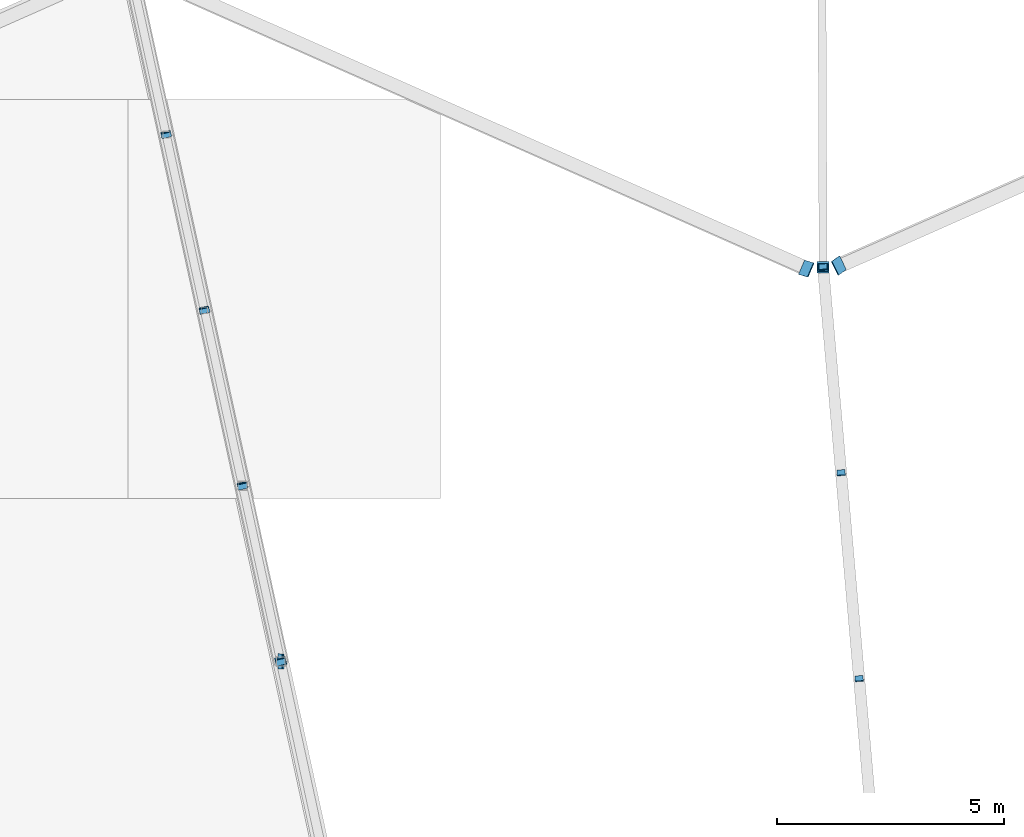
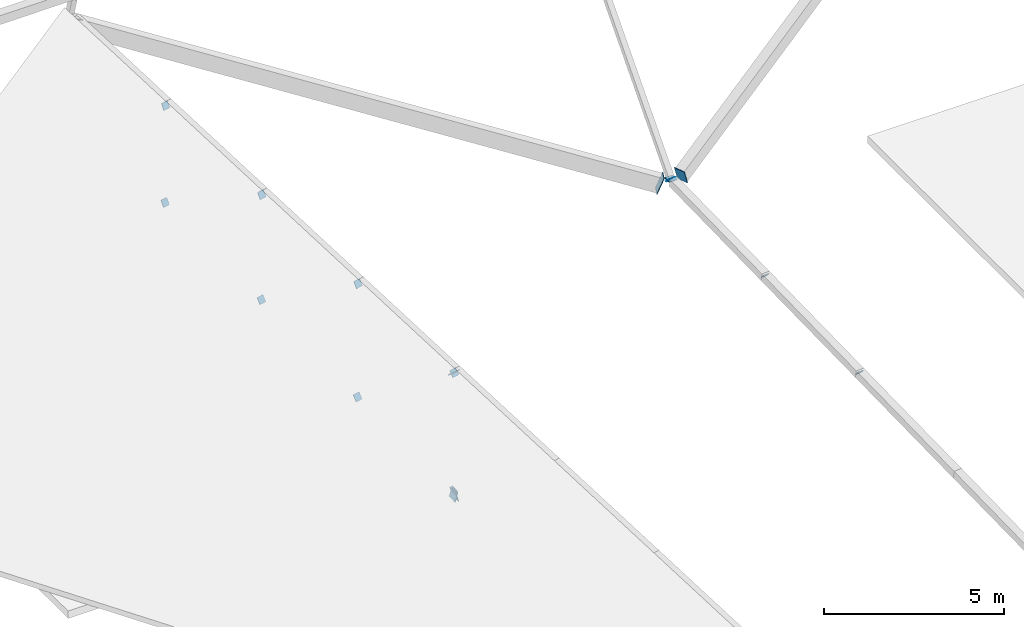
# One storey, part 170 of 188: 17 discrete accessories.
"""IFC4 building model written with IfcOpenShell, lengths in metres."""

from ifc_helpers import new_model, si_unit, direction, frame, origin, origin_2d, place, context, subcontext, project, spatial, rectangle, extrude, material, material_profile, profile_set, type_object, element, save


model = new_model("IFC4")

# Units and contexts
model_context = context("Model", 3, precision=1e-05, world=origin(), true_north=direction((0.0, 1.0)))
body_context = subcontext(model_context, "Body", "Model", "MODEL_VIEW")
ifc_project = project(units=[si_unit("LENGTHUNIT", "METRE"), si_unit("AREAUNIT", "SQUARE_METRE"), si_unit("VOLUMEUNIT", "CUBIC_METRE"), si_unit("PLANEANGLEUNIT", "RADIAN"), si_unit("MASSUNIT", "GRAM", prefix="KILO")], contexts=[model_context])

# Site, building, storey
site_placement = place(None, origin())
site = spatial("IfcSite", under=ifc_project, at=site_placement, CompositionType="ELEMENT")
building_placement = place(site_placement, origin())
building = spatial("IfcBuilding", under=site, at=building_placement, Name="Meseta Stadium", CompositionType="ELEMENT")
storey_placement = place(building_placement, frame((0.0, 0.0, 30.0)))
storey = spatial("IfcBuildingStorey", under=building, at=storey_placement, Name="ROOF", CompositionType="ELEMENT", Elevation=30.0)

# Discrete accessories
ifc_material_1 = material(Name="Steel S355", Category="steel")
ifc_material_profile_1 = material_profile(ifc_material_1, rectangle(XDim=0.179931640625, YDim=0.179931640625, at=origin_2d()), Name="PL 180x180")
ifc_profile_set_1 = profile_set([ifc_material_profile_1], Name="Steel S355")
discrete_accessory_type_1 = type_object("IfcDiscreteAccessoryType", Name="End plate 180x180x20", PredefinedType="ANCHORPLATE", material=ifc_profile_set_1)
for number, where, z_axis, x_axis, name in (
    (1, (-6.870849609375, 89.517822265625, 2.41259765625), (-0.061093841343, 0.769782400916, 0.635375949962), (-0.996865392576, -0.079116300998, 0.0), "End plate of ROOF TRUSS RT-19 diagonal"),
    (2, (-7.268798828125, 94.058837890625, 3.07666015625), (-0.060620535557, 0.763818748014, 0.642577676901), (-0.996865392576, -0.079116300998, 0.0), "End plate of ROOF TRUSS RT-19 diagonal"),
    (3, (-7.666748046875, 98.60009765625, 3.74072265625), (-0.061185258185, 0.758697201488, 0.648563736756), (-0.996763955012, -0.08038418992, 0.0), "End plate of ROOF TRUSS RT-19 diagonal"),
):
    element("IfcDiscreteAccessory", number, at=place(storey_placement, frame(where, z_axis=z_axis, x_axis=x_axis)), inside=storey, type_object=discrete_accessory_type_1, Name=name, PredefinedType="ANCHORPLATE", context=body_context, shape_type="SweptSolid", body=[
        extrude(rectangle(XDim=0.179931640625, YDim=0.179931640625, at=origin_2d()), origin(), (0.0, 0.0, 1.0), 0.02001953125),
    ])
ifc_material_2 = material(Name="Steel S355", Category="steel")
ifc_material_profile_2 = material_profile(ifc_material_2, rectangle(XDim=0.219970703125, YDim=0.219970703125, at=origin_2d()), Name="PL 220x220")
ifc_profile_set_2 = profile_set([ifc_material_profile_2], Name="Steel S355")
discrete_accessory_type_2 = type_object("IfcDiscreteAccessoryType", Name="End plate 220x220x20", PredefinedType="ANCHORPLATE", material=ifc_profile_set_2)
discrete_accessory_1_placement = place(storey_placement, frame((-19.6240234375, 89.887939453125, 6.659423828125), z_axis=(-0.169500966202, 0.78696877165, -0.593253381705), x_axis=(-0.977581781174, -0.210556075945, 0.0)))
element("IfcDiscreteAccessory", 4, at=discrete_accessory_1_placement, inside=storey, type_object=discrete_accessory_type_2, Name="End plate of ROOF TRUSS RT-20 diagonal", PredefinedType="ANCHORPLATE", context=body_context, shape_type="SweptSolid", body=[
    extrude(rectangle(XDim=0.219970703125, YDim=0.219970703125, at=origin_2d()), origin(), (0.0, 0.0, 1.0), 0.020263671875),
])
for number, where, z_axis, x_axis, name in (
    (5, (-20.470703125, 93.77783203125, 3.77734375), (-0.170719013038, 0.792623989105, -0.585322330416), (-0.977581781174, -0.210556075945, 0.0), "End plate of ROOF TRUSS RT-20 diagonal"),
    (6, (-20.467041015625, 93.761474609375, 7.616943359375), (-0.183941801845, 0.82160671491, -0.539562618747), (-0.975843140333, -0.218472344851, 0.0), "End plate of ROOF TRUSS RT-20 diagonal"),
    (7, (-21.313720703125, 97.65185546875, 5.011962890625), (-0.183941801845, 0.82160671491, -0.539562618747), (-0.975843140333, -0.218472344851, 0.0), "End plate of ROOF TRUSS RT-20 diagonal"),
    (8, (-21.31005859375, 97.635009765625, 8.57470703125), (-0.183707138088, 0.845052835203, -0.502132844106), (-0.977176363923, -0.212429644331, 0.0), "End plate of ROOF TRUSS RT-20 diagonal"),
    (9, (-22.156982421875, 101.52587890625, 6.246826171875), (-0.183707138088, 0.845052835203, -0.502132844106), (-0.977176363923, -0.212429644331, 0.0), "End plate of ROOF TRUSS RT-20 diagonal"),
    (10, (-22.153076171875, 101.508544921875, 9.5322265625), (-0.195968978117, 0.869612340392, -0.453178261894), (-0.97553613825, -0.219839129747, 0.0), "End plate of ROOF TRUSS RT-20 diagonal"),
):
    element("IfcDiscreteAccessory", number, at=place(storey_placement, frame(where, z_axis=z_axis, x_axis=x_axis)), inside=storey, type_object=discrete_accessory_type_2, Name=name, PredefinedType="ANCHORPLATE", context=body_context, shape_type="SweptSolid", body=[
        extrude(rectangle(XDim=0.219970703125, YDim=0.219970703125, at=origin_2d()), origin(), (0.0, 0.0, 1.0), 0.02001953125),
    ])
discrete_accessory_2_placement = place(storey_placement, frame((-7.666748046875, 98.60009765625, 3.74072265625), z_axis=(0.012273865955, -0.662788761562, -0.748705823246), x_axis=(0.999828576325, 0.018515344006, 0.0)))
element("IfcDiscreteAccessory", 11, at=discrete_accessory_2_placement, inside=storey, type_object=discrete_accessory_type_2, Name="End plate of GABLE ARCH GA-N hanger RT-19", PredefinedType="ANCHORPLATE", context=body_context, shape_type="SweptSolid", body=[
    extrude(rectangle(XDim=0.219970703125, YDim=0.219970703125, at=origin_2d()), origin(), (0.0, 0.0, 1.0), 0.019775390625),
])
ifc_material_3 = material(Name="Steel S355", Category="steel")
ifc_material_profile_3 = material_profile(ifc_material_3, rectangle(XDim=0.239990234375, YDim=0.239990234375, at=origin_2d()), Name="PL 240x240")
ifc_profile_set_3 = profile_set([ifc_material_profile_3], Name="Steel S355")
discrete_accessory_type_3 = type_object("IfcDiscreteAccessoryType", Name="End plate 240x240x20", PredefinedType="ANCHORPLATE", material=ifc_profile_set_3)
discrete_accessory_3_placement = place(storey_placement, frame((-19.62744140625, 89.90380859375, 6.6474609375), z_axis=(-0.14555348595, 0.642861229614, 0.752026344077), x_axis=(-0.975313298974, -0.220825652598, 0.0)))
element("IfcDiscreteAccessory", 12, at=discrete_accessory_3_placement, inside=storey, type_object=discrete_accessory_type_3, Name="End plate of ROOF TRUSS RT-20 diagonal", PredefinedType="ANCHORPLATE", context=body_context, shape_type="SweptSolid", body=[
    extrude(rectangle(XDim=0.239990234375, YDim=0.239990234375, at=origin_2d()), origin(), (0.0, 0.0, 1.0), 0.02001953125),
])
ifc_material_4 = material(Name="Steel S355", Category="steel")
ifc_material_profile_4 = material_profile(ifc_material_4, rectangle(XDim=0.260009765625, YDim=0.260009765625, at=origin_2d()), Name="PL 260x260")
ifc_profile_set_4 = profile_set([ifc_material_profile_4], Name="Steel S355")
discrete_accessory_type_4 = type_object("IfcDiscreteAccessoryType", Name="End plate 260x260x20", PredefinedType="ANCHORPLATE", material=ifc_profile_set_4)
discrete_accessory_4_placement = place(storey_placement, frame((-7.666748046875, 98.60009765625, 3.74072265625), z_axis=(0.0, 0.0, 1.0), x_axis=(1.0, 0.0, 0.0)))
element("IfcDiscreteAccessory", 13, at=discrete_accessory_4_placement, inside=storey, type_object=discrete_accessory_type_4, Name="End plate of ROOF TRUSS RT-19 post", PredefinedType="ANCHORPLATE", context=body_context, shape_type="SweptSolid", body=[
    extrude(rectangle(XDim=0.260009765625, YDim=0.260009765625, at=origin_2d()), origin(), (0.0, 0.0, 1.0), 0.02001953125),
])
ifc_material_5 = material(Name="Steel S355", Category="steel")
ifc_material_profile_5 = material_profile(ifc_material_5, rectangle(XDim=0.340087890625, YDim=0.340087890625, at=origin_2d()), Name="PL 340x340")
ifc_profile_set_5 = profile_set([ifc_material_profile_5], Name="Steel S355")
discrete_accessory_type_5 = type_object("IfcDiscreteAccessoryType", Name="End plate 340x340x20", PredefinedType="ANCHORPLATE", material=ifc_profile_set_5)
for number, where, z_axis, x_axis, name in (
    (14, (-19.62744140625, 89.90380859375, 2.54248046875), (-0.9661485472, 0.024459456891, 0.256824297357), (-0.025308346645, -0.999679692497, 0.0), "End plate of ROOF PIVOT STRUT RT-19/20"),
    (15, (-19.608154296875, 89.90380859375, 2.5478515625), (-0.963343002143, 0.0, -0.268272734774), (0.0, -1.0, 0.0), "End plate of ROOF PIVOT STRUT RT-20/21"),
):
    element("IfcDiscreteAccessory", number, at=place(storey_placement, frame(where, z_axis=z_axis, x_axis=x_axis)), inside=storey, type_object=discrete_accessory_type_5, Name=name, PredefinedType="ANCHORPLATE", context=body_context, shape_type="SweptSolid", body=[
        extrude(rectangle(XDim=0.340087890625, YDim=0.340087890625, at=origin_2d()), origin(), (0.0, 0.0, 1.0), 0.02001953125),
    ])
ifc_material_6 = material(Name="Steel S355", Category="steel")
ifc_material_profile_6 = material_profile(ifc_material_6, rectangle(XDim=0.340087890625, YDim=0.5400390625, at=origin_2d()), Name="PL 340x540")
ifc_profile_set_6 = profile_set([ifc_material_profile_6], Name="Steel S355")
discrete_accessory_type_6 = type_object("IfcDiscreteAccessoryType", Name="End plate 340x540x20", PredefinedType="ANCHORPLATE", material=ifc_profile_set_6)
for number, where, z_axis, x_axis, name in (
    (16, (-7.31201171875, 98.638916015625, 3.73388671875), (-0.844040643991, -0.379206666141, -0.379206666141), (0.434630459657, -0.897924895201, -0.06947838597), "End plate of RIM RING BEAM 19"),
    (17, (-8.02685546875, 98.563720703125, 3.743408203125), (-0.844040643991, 0.379206666141, 0.379206666141), (-0.390804127142, -0.919152762333, 0.049298414825), "End plate of RIM RING BEAM 20"),
):
    element("IfcDiscreteAccessory", number, at=place(storey_placement, frame(where, z_axis=z_axis, x_axis=x_axis)), inside=storey, type_object=discrete_accessory_type_6, Name=name, PredefinedType="ANCHORPLATE", context=body_context, shape_type="SweptSolid", body=[
        extrude(rectangle(XDim=0.340087890625, YDim=0.5400390625, at=origin_2d()), origin(), (0.0, 0.0, 1.0), 0.02001953125),
    ])

save(model, "model.ifc")
